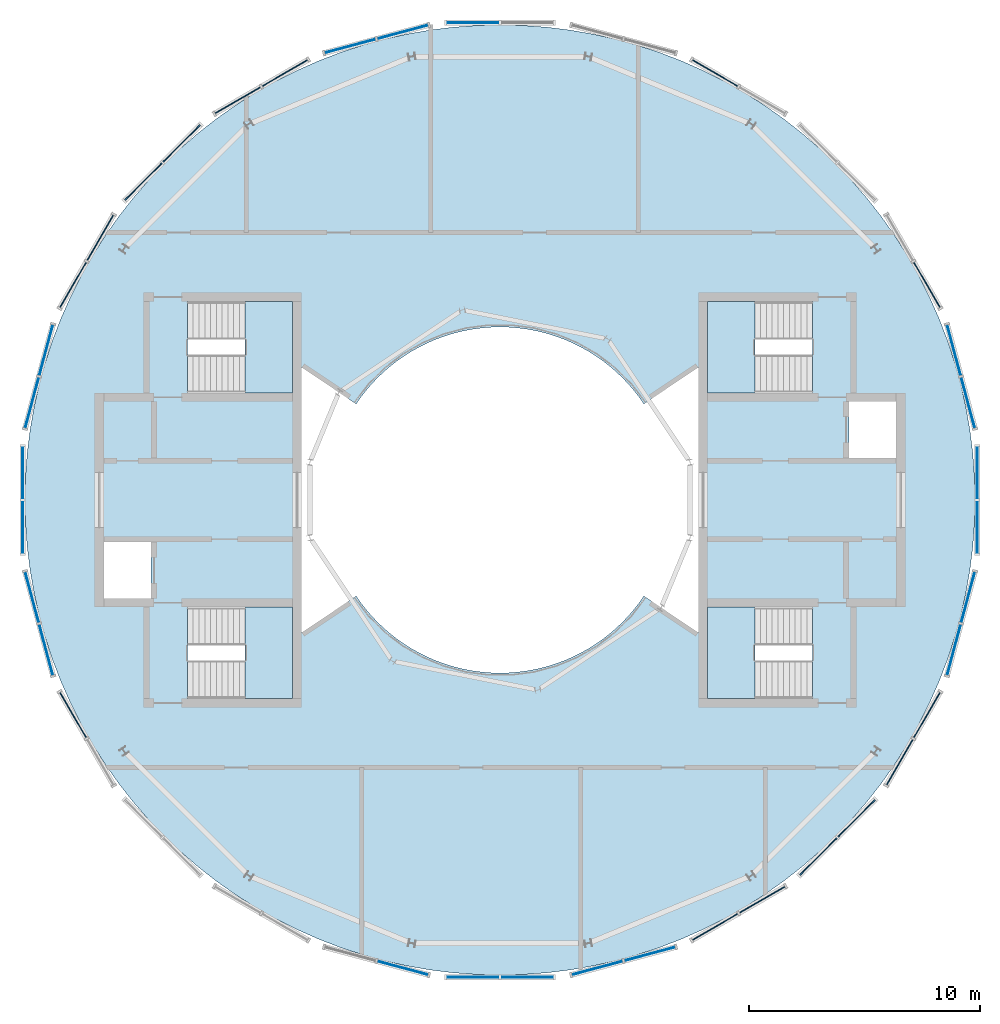
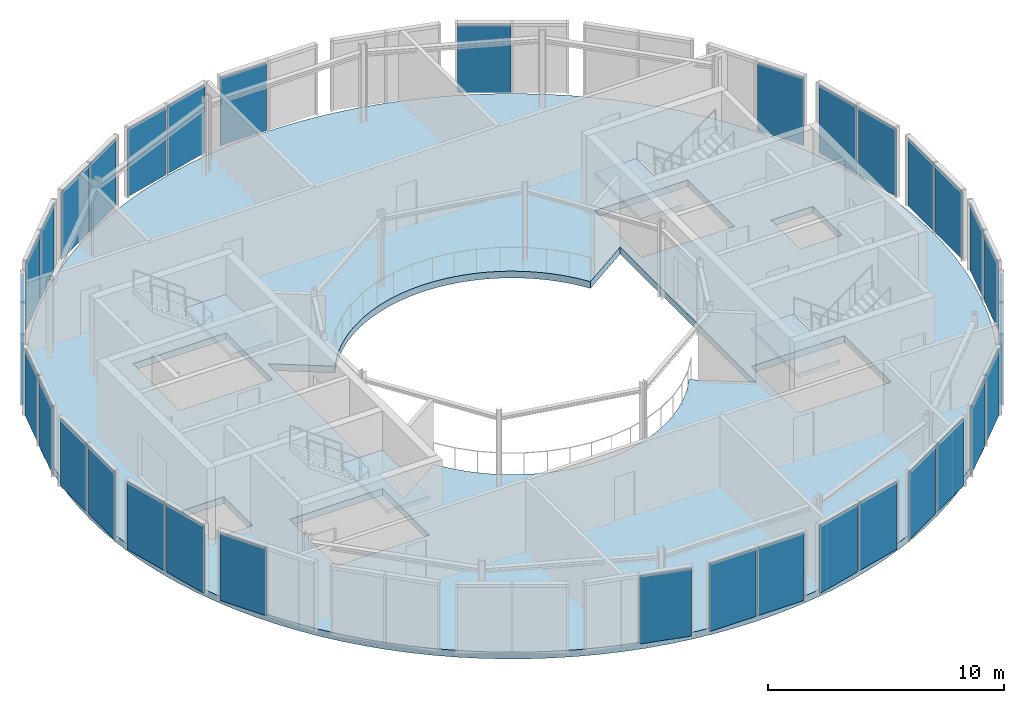
# One storey, part 7 of 12: 35 plates, 5 slabs, 24 elements without a shape of their own.
"""IFC4 building model written with IfcOpenShell, lengths in metres."""

from ifc_helpers import new_model, si_unit, direction, frame, origin, origin_2d, place, context, subcontext, project, spatial, polyline, rectangle, outline, extrude, material, layer, layer_set, type_object, element, aggregate, save


model = new_model("IFC4")

# Units and contexts
model_context = context("Model", 3, precision=1e-05, world=origin(), true_north=direction((0.0, 1.0)))
body_context = subcontext(model_context, "Body", "Model", "MODEL_VIEW")
ifc_project = project(units=[si_unit("LENGTHUNIT", "METRE"), si_unit("AREAUNIT", "SQUARE_METRE"), si_unit("VOLUMEUNIT", "CUBIC_METRE"), si_unit("PLANEANGLEUNIT", "RADIAN"), si_unit("MASSUNIT", "GRAM", prefix="KILO")], contexts=[model_context])

# Site, building, storey
site_placement = place(None, origin())
site = spatial("IfcSite", under=ifc_project, at=site_placement, CompositionType="ELEMENT")
building_placement = place(site_placement, origin())
building = spatial("IfcBuilding", under=site, at=building_placement, Name="Maasbend Ring Residences", CompositionType="ELEMENT")
storey_placement = place(building_placement, frame((0.0, 0.0, 265.5)))
storey = spatial("IfcBuildingStorey", under=building, at=storey_placement, Name="L76", CompositionType="ELEMENT", Elevation=265.5)

# Stair, slab
ifc_material_1 = material(Name="Concrete C40/50", Category="concrete")
stair_type = type_object("IfcStairType", Name="CORE STAIR 22 RISERS", PredefinedType="HALF_TURN_STAIR", material=ifc_material_1)
stair_1_placement = place(storey_placement, origin())
stair_1 = element("IfcStair", 1, at=stair_1_placement, inside=storey, type_object=stair_type, Name="L76 Exit stair ST-E1", PredefinedType="HALF_TURN_STAIR")
ifc_material_2 = material(Name="Concrete C40/50", Category="concrete")
ifc_layer_1 = layer(ifc_material_2, 0.199951171875)
ifc_layer_set_1 = layer_set([ifc_layer_1], Name="Concrete C40/50")
slab_type_1 = type_object("IfcSlabType", Name="CORE STAIR LANDING 200", PredefinedType="LANDING", material=ifc_layer_set_1)
slab_1_placement = place(storey_placement, frame((0.0, 0.0, 1.800048828125)))
slab_1 = element("IfcSlab", 2, at=slab_1_placement, type_object=slab_type_1, Name="ST-E1 landing 1", PredefinedType="LANDING", context=body_context, shape_type="SweptSolid", body=[
    extrude(outline(polyline([(11.050048828125, 8.60009765625), (9.0, 8.60009765625), (9.0, 4.64990234375), (11.050048828125, 4.64990234375), (11.050048828125, 8.60009765625)])), origin(), (0.0, 0.0, 1.0), 0.199951171875),
])
aggregate(stair_1, [slab_1])

stair_2_placement = place(storey_placement, origin())
stair_2 = element("IfcStair", 3, at=stair_2_placement, inside=storey, type_object=stair_type, Name="L76 Exit stair ST-E2", PredefinedType="HALF_TURN_STAIR")
slab_2_placement = place(storey_placement, frame((0.0, 0.0, 1.800048828125)))
slab_2 = element("IfcSlab", 4, at=slab_2_placement, type_object=slab_type_1, Name="ST-E2 landing 1", PredefinedType="LANDING", context=body_context, shape_type="SweptSolid", body=[
    extrude(outline(polyline([(11.050048828125, -4.64990234375), (9.0, -4.64990234375), (9.0, -8.60009765625), (11.050048828125, -8.60009765625), (11.050048828125, -4.64990234375)])), origin(), (0.0, 0.0, 1.0), 0.199951171875),
])
aggregate(stair_2, [slab_2])

stair_3_placement = place(storey_placement, origin())
stair_3 = element("IfcStair", 5, at=stair_3_placement, inside=storey, type_object=stair_type, Name="L76 Exit stair ST-W1", PredefinedType="HALF_TURN_STAIR")
slab_3_placement = place(storey_placement, frame((0.0, 0.0, 1.800048828125)))
slab_3 = element("IfcSlab", 6, at=slab_3_placement, type_object=slab_type_1, Name="ST-W1 landing 1", PredefinedType="LANDING", context=body_context, shape_type="SweptSolid", body=[
    extrude(outline(polyline([(-11.050048828125, -8.60009765625), (-9.0, -8.60009765625), (-9.0, -4.64990234375), (-11.050048828125, -4.64990234375), (-11.050048828125, -8.60009765625)])), origin(), (0.0, 0.0, 1.0), 0.199951171875),
])
aggregate(stair_3, [slab_3])

stair_4_placement = place(storey_placement, origin())
stair_4 = element("IfcStair", 7, at=stair_4_placement, inside=storey, type_object=stair_type, Name="L76 Exit stair ST-W2", PredefinedType="HALF_TURN_STAIR")
slab_4_placement = place(storey_placement, frame((0.0, 0.0, 1.800048828125)))
slab_4 = element("IfcSlab", 8, at=slab_4_placement, type_object=slab_type_1, Name="ST-W2 landing 1", PredefinedType="LANDING", context=body_context, shape_type="SweptSolid", body=[
    extrude(outline(polyline([(-11.050048828125, 4.64990234375), (-9.0, 4.64990234375), (-9.0, 8.60009765625), (-11.050048828125, 8.60009765625), (-11.050048828125, 4.64990234375)])), origin(), (0.0, 0.0, 1.0), 0.199951171875),
])
aggregate(stair_4, [slab_4])

# Curtain wall, plates
ifc_material_3 = material(Name="Aluminium and clear glass", Category="aluminium")
ifc_layer_2 = layer(ifc_material_3, 0.239990234375)
ifc_layer_set_2 = layer_set([ifc_layer_2], Name="CW-CN")
curtain_wall_type = type_object("IfcCurtainWallType", Name="CW-CN", PredefinedType="NOTDEFINED", material=ifc_layer_set_2)
curtain_wall_1_placement = place(storey_placement, origin())
curtain_wall_1 = element("IfcCurtainWall", 9, at=curtain_wall_1_placement, inside=storey, type_object=curtain_wall_type, Name="Crown drum glazing 01 L76", PredefinedType="NOTDEFINED")
ifc_material_4 = material(Name="Glass clear laminated", Category="glass")
ifc_layer_3 = layer(ifc_material_4, 0.0400390625)
ifc_layer_set_3 = layer_set([ifc_layer_3], Name="CWP-CN")
plate_type = type_object("IfcPlateType", Name="CWP-CN", PredefinedType="CURTAIN_PANEL", material=ifc_layer_set_3)
plate_1_placement = place(storey_placement, frame((20.291748046875, 4.216064453125, 0.0), z_axis=(0.0, 0.0, 1.0), x_axis=(-0.258819045103, 0.965925826289, 0.0)))
plate_1 = element("IfcPlate", 10, at=plate_1_placement, type_object=plate_type, Name="Glass panel crown cone", PredefinedType="CURTAIN_PANEL", context=body_context, shape_type="SweptSolid", body=[
    extrude(rectangle(XDim=2.26904296875, YDim=0.0400390625, at=origin_2d()), origin(), (0.0, 0.0, 1.0), 3.489990234375),
])
plate_2_placement = place(storey_placement, frame((19.68115234375, 6.49462890625, 0.0), z_axis=(0.0, 0.0, 1.0), x_axis=(-0.258819045103, 0.965925826289, 0.0)))
plate_2 = element("IfcPlate", 11, at=plate_2_placement, type_object=plate_type, Name="Glass panel crown cone", PredefinedType="CURTAIN_PANEL", context=body_context, shape_type="SweptSolid", body=[
    extrude(rectangle(XDim=2.26904296875, YDim=0.0400390625, at=origin_2d()), origin(), (0.0, 0.0, 1.0), 3.489990234375),
])
aggregate(curtain_wall_1, [plate_1, plate_2])

# Curtain wall, plate
curtain_wall_2_placement = place(storey_placement, origin())
curtain_wall_2 = element("IfcCurtainWall", 12, at=curtain_wall_2_placement, inside=storey, type_object=curtain_wall_type, Name="Crown drum glazing 02 L76", PredefinedType="NOTDEFINED")
plate_3_placement = place(storey_placement, frame((18.509033203125, 9.32421875, 0.0), z_axis=(0.0, 0.0, 1.0), x_axis=(-0.5, 0.866025403784, 0.0)))
plate_3 = element("IfcPlate", 13, at=plate_3_placement, type_object=plate_type, Name="Glass panel crown cone", PredefinedType="CURTAIN_PANEL", context=body_context, shape_type="SweptSolid", body=[
    extrude(rectangle(XDim=2.26904296875, YDim=0.0400390625, at=origin_2d()), origin(), (0.0, 0.0, 1.0), 3.489990234375),
])
aggregate(curtain_wall_2, [plate_3])

curtain_wall_3_placement = place(storey_placement, origin())
curtain_wall_3 = element("IfcCurtainWall", 14, at=curtain_wall_3_placement, inside=storey, type_object=curtain_wall_type, Name="Crown drum glazing 04 L76", PredefinedType="NOTDEFINED")
plate_4_placement = place(storey_placement, frame((9.32421875, 18.509033203125, 0.0), z_axis=(0.0, 0.0, 1.0), x_axis=(-0.866025403784, 0.5, 0.0)))
plate_4 = element("IfcPlate", 15, at=plate_4_placement, type_object=plate_type, Name="Glass panel crown cone", PredefinedType="CURTAIN_PANEL", context=body_context, shape_type="SweptSolid", body=[
    extrude(rectangle(XDim=2.26904296875, YDim=0.0400390625, at=origin_2d()), origin(), (0.0, 0.0, 1.0), 3.489990234375),
])
aggregate(curtain_wall_3, [plate_4])

curtain_wall_4_placement = place(storey_placement, origin())
curtain_wall_4 = element("IfcCurtainWall", 16, at=curtain_wall_4_placement, inside=storey, type_object=curtain_wall_type, Name="Crown drum glazing 06 L76", PredefinedType="NOTDEFINED")
plate_5_placement = place(storey_placement, frame((-1.179443359375, 20.69140625, 0.0), z_axis=(0.0, 0.0, 1.0), x_axis=(-1.0, 0.0, 0.0)))
plate_5 = element("IfcPlate", 17, at=plate_5_placement, type_object=plate_type, Name="Glass panel crown cone", PredefinedType="CURTAIN_PANEL", context=body_context, shape_type="SweptSolid", body=[
    extrude(rectangle(XDim=2.26904296875, YDim=0.0400390625, at=origin_2d()), origin(), (0.0, 0.0, 1.0), 3.489990234375),
])
aggregate(curtain_wall_4, [plate_5])

# Curtain wall, plates
curtain_wall_5_placement = place(storey_placement, origin())
curtain_wall_5 = element("IfcCurtainWall", 18, at=curtain_wall_5_placement, inside=storey, type_object=curtain_wall_type, Name="Crown drum glazing 07 L76", PredefinedType="NOTDEFINED")
plate_6_placement = place(storey_placement, frame((-4.216064453125, 20.291748046875, 0.0), z_axis=(0.0, 0.0, 1.0), x_axis=(-0.965925826289, -0.258819045103, 0.0)))
plate_6 = element("IfcPlate", 19, at=plate_6_placement, type_object=plate_type, Name="Glass panel crown cone", PredefinedType="CURTAIN_PANEL", context=body_context, shape_type="SweptSolid", body=[
    extrude(rectangle(XDim=2.26904296875, YDim=0.0400390625, at=origin_2d()), origin(), (0.0, 0.0, 1.0), 3.489990234375),
])
plate_7_placement = place(storey_placement, frame((-6.49462890625, 19.68115234375, 0.0), z_axis=(0.0, 0.0, 1.0), x_axis=(-0.965925826289, -0.258819045103, 0.0)))
plate_7 = element("IfcPlate", 20, at=plate_7_placement, type_object=plate_type, Name="Glass panel crown cone", PredefinedType="CURTAIN_PANEL", context=body_context, shape_type="SweptSolid", body=[
    extrude(rectangle(XDim=2.26904296875, YDim=0.0400390625, at=origin_2d()), origin(), (0.0, 0.0, 1.0), 3.489990234375),
])
aggregate(curtain_wall_5, [plate_6, plate_7])

curtain_wall_6_placement = place(storey_placement, origin())
curtain_wall_6 = element("IfcCurtainWall", 21, at=curtain_wall_6_placement, inside=storey, type_object=curtain_wall_type, Name="Crown drum glazing 08 L76", PredefinedType="NOTDEFINED")
plate_8_placement = place(storey_placement, frame((-9.32421875, 18.509033203125, 0.0), z_axis=(0.0, 0.0, 1.0), x_axis=(-0.866025403784, -0.5, 0.0)))
plate_8 = element("IfcPlate", 22, at=plate_8_placement, type_object=plate_type, Name="Glass panel crown cone", PredefinedType="CURTAIN_PANEL", context=body_context, shape_type="SweptSolid", body=[
    extrude(rectangle(XDim=2.26904296875, YDim=0.0400390625, at=origin_2d()), origin(), (0.0, 0.0, 1.0), 3.489990234375),
])
plate_9_placement = place(storey_placement, frame((-11.3671875, 17.32958984375, 0.0), z_axis=(0.0, 0.0, 1.0), x_axis=(-0.866025403784, -0.5, 0.0)))
plate_9 = element("IfcPlate", 23, at=plate_9_placement, type_object=plate_type, Name="Glass panel crown cone", PredefinedType="CURTAIN_PANEL", context=body_context, shape_type="SweptSolid", body=[
    extrude(rectangle(XDim=2.26904296875, YDim=0.0400390625, at=origin_2d()), origin(), (0.0, 0.0, 1.0), 3.489990234375),
])
aggregate(curtain_wall_6, [plate_8, plate_9])

curtain_wall_7_placement = place(storey_placement, origin())
curtain_wall_7 = element("IfcCurtainWall", 24, at=curtain_wall_7_placement, inside=storey, type_object=curtain_wall_type, Name="Crown drum glazing 09 L76", PredefinedType="NOTDEFINED")
plate_10_placement = place(storey_placement, frame((-13.797119140625, 15.465087890625, 0.0), z_axis=(0.0, 0.0, 1.0), x_axis=(-0.707106781187, -0.707106781187, 0.0)))
plate_10 = element("IfcPlate", 25, at=plate_10_placement, type_object=plate_type, Name="Glass panel crown cone", PredefinedType="CURTAIN_PANEL", context=body_context, shape_type="SweptSolid", body=[
    extrude(rectangle(XDim=2.26904296875, YDim=0.0400390625, at=origin_2d()), origin(), (0.0, 0.0, 1.0), 3.489990234375),
])
plate_11_placement = place(storey_placement, frame((-15.465087890625, 13.797119140625, 0.0), z_axis=(0.0, 0.0, 1.0), x_axis=(-0.707106781187, -0.707106781187, 0.0)))
plate_11 = element("IfcPlate", 26, at=plate_11_placement, type_object=plate_type, Name="Glass panel crown cone", PredefinedType="CURTAIN_PANEL", context=body_context, shape_type="SweptSolid", body=[
    extrude(rectangle(XDim=2.26904296875, YDim=0.0400390625, at=origin_2d()), origin(), (0.0, 0.0, 1.0), 3.489990234375),
])
aggregate(curtain_wall_7, [plate_10, plate_11])

curtain_wall_8_placement = place(storey_placement, origin())
curtain_wall_8 = element("IfcCurtainWall", 27, at=curtain_wall_8_placement, inside=storey, type_object=curtain_wall_type, Name="Crown drum glazing 10 L76", PredefinedType="NOTDEFINED")
plate_12_placement = place(storey_placement, frame((-17.32958984375, 11.3671875, 0.0), z_axis=(0.0, 0.0, 1.0), x_axis=(-0.5, -0.866025403784, 0.0)))
plate_12 = element("IfcPlate", 28, at=plate_12_placement, type_object=plate_type, Name="Glass panel crown cone", PredefinedType="CURTAIN_PANEL", context=body_context, shape_type="SweptSolid", body=[
    extrude(rectangle(XDim=2.26904296875, YDim=0.0400390625, at=origin_2d()), origin(), (0.0, 0.0, 1.0), 3.489990234375),
])
plate_13_placement = place(storey_placement, frame((-18.509033203125, 9.32421875, 0.0), z_axis=(0.0, 0.0, 1.0), x_axis=(-0.5, -0.866025403784, 0.0)))
plate_13 = element("IfcPlate", 29, at=plate_13_placement, type_object=plate_type, Name="Glass panel crown cone", PredefinedType="CURTAIN_PANEL", context=body_context, shape_type="SweptSolid", body=[
    extrude(rectangle(XDim=2.26904296875, YDim=0.0400390625, at=origin_2d()), origin(), (0.0, 0.0, 1.0), 3.489990234375),
])
aggregate(curtain_wall_8, [plate_12, plate_13])

curtain_wall_9_placement = place(storey_placement, origin())
curtain_wall_9 = element("IfcCurtainWall", 30, at=curtain_wall_9_placement, inside=storey, type_object=curtain_wall_type, Name="Crown drum glazing 11 L76", PredefinedType="NOTDEFINED")
plate_14_placement = place(storey_placement, frame((-19.68115234375, 6.49462890625, 0.0), z_axis=(0.0, 0.0, 1.0), x_axis=(-0.258819045103, -0.965925826289, 0.0)))
plate_14 = element("IfcPlate", 31, at=plate_14_placement, type_object=plate_type, Name="Glass panel crown cone", PredefinedType="CURTAIN_PANEL", context=body_context, shape_type="SweptSolid", body=[
    extrude(rectangle(XDim=2.26904296875, YDim=0.0400390625, at=origin_2d()), origin(), (0.0, 0.0, 1.0), 3.489990234375),
])
plate_15_placement = place(storey_placement, frame((-20.291748046875, 4.216064453125, 0.0), z_axis=(0.0, 0.0, 1.0), x_axis=(-0.258819045103, -0.965925826289, 0.0)))
plate_15 = element("IfcPlate", 32, at=plate_15_placement, type_object=plate_type, Name="Glass panel crown cone", PredefinedType="CURTAIN_PANEL", context=body_context, shape_type="SweptSolid", body=[
    extrude(rectangle(XDim=2.26904296875, YDim=0.0400390625, at=origin_2d()), origin(), (0.0, 0.0, 1.0), 3.489990234375),
])
aggregate(curtain_wall_9, [plate_14, plate_15])

curtain_wall_10_placement = place(storey_placement, origin())
curtain_wall_10 = element("IfcCurtainWall", 33, at=curtain_wall_10_placement, inside=storey, type_object=curtain_wall_type, Name="Crown drum glazing 12 L76", PredefinedType="NOTDEFINED")
plate_16_placement = place(storey_placement, frame((-20.69140625, 1.179443359375, 0.0), z_axis=(0.0, 0.0, 1.0), x_axis=(0.0, -1.0, 0.0)))
plate_16 = element("IfcPlate", 34, at=plate_16_placement, type_object=plate_type, Name="Glass panel crown cone", PredefinedType="CURTAIN_PANEL", context=body_context, shape_type="SweptSolid", body=[
    extrude(rectangle(XDim=2.26904296875, YDim=0.0400390625, at=origin_2d()), origin(), (0.0, 0.0, 1.0), 3.489990234375),
])
plate_17_placement = place(storey_placement, frame((-20.69140625, -1.179443359375, 0.0), z_axis=(0.0, 0.0, 1.0), x_axis=(0.0, -1.0, 0.0)))
plate_17 = element("IfcPlate", 35, at=plate_17_placement, type_object=plate_type, Name="Glass panel crown cone", PredefinedType="CURTAIN_PANEL", context=body_context, shape_type="SweptSolid", body=[
    extrude(rectangle(XDim=2.26904296875, YDim=0.0400390625, at=origin_2d()), origin(), (0.0, 0.0, 1.0), 3.489990234375),
])
aggregate(curtain_wall_10, [plate_16, plate_17])

curtain_wall_11_placement = place(storey_placement, origin())
curtain_wall_11 = element("IfcCurtainWall", 36, at=curtain_wall_11_placement, inside=storey, type_object=curtain_wall_type, Name="Crown drum glazing 13 L76", PredefinedType="NOTDEFINED")
plate_18_placement = place(storey_placement, frame((-20.291748046875, -4.216064453125, 0.0), z_axis=(0.0, 0.0, 1.0), x_axis=(0.258819045103, -0.965925826289, 0.0)))
plate_18 = element("IfcPlate", 37, at=plate_18_placement, type_object=plate_type, Name="Glass panel crown cone", PredefinedType="CURTAIN_PANEL", context=body_context, shape_type="SweptSolid", body=[
    extrude(rectangle(XDim=2.26904296875, YDim=0.0400390625, at=origin_2d()), origin(), (0.0, 0.0, 1.0), 3.489990234375),
])
plate_19_placement = place(storey_placement, frame((-19.68115234375, -6.49462890625, 0.0), z_axis=(0.0, 0.0, 1.0), x_axis=(0.258819045103, -0.965925826289, 0.0)))
plate_19 = element("IfcPlate", 38, at=plate_19_placement, type_object=plate_type, Name="Glass panel crown cone", PredefinedType="CURTAIN_PANEL", context=body_context, shape_type="SweptSolid", body=[
    extrude(rectangle(XDim=2.26904296875, YDim=0.0400390625, at=origin_2d()), origin(), (0.0, 0.0, 1.0), 3.489990234375),
])
aggregate(curtain_wall_11, [plate_18, plate_19])

# Curtain wall, plate
curtain_wall_12_placement = place(storey_placement, origin())
curtain_wall_12 = element("IfcCurtainWall", 39, at=curtain_wall_12_placement, inside=storey, type_object=curtain_wall_type, Name="Crown drum glazing 14 L76", PredefinedType="NOTDEFINED")
plate_20_placement = place(storey_placement, frame((-18.509033203125, -9.32421875, 0.0), z_axis=(0.0, 0.0, 1.0), x_axis=(0.5, -0.866025403784, 0.0)))
plate_20 = element("IfcPlate", 40, at=plate_20_placement, type_object=plate_type, Name="Glass panel crown cone", PredefinedType="CURTAIN_PANEL", context=body_context, shape_type="SweptSolid", body=[
    extrude(rectangle(XDim=2.26904296875, YDim=0.0400390625, at=origin_2d()), origin(), (0.0, 0.0, 1.0), 3.489990234375),
])
aggregate(curtain_wall_12, [plate_20])

curtain_wall_13_placement = place(storey_placement, origin())
curtain_wall_13 = element("IfcCurtainWall", 41, at=curtain_wall_13_placement, inside=storey, type_object=curtain_wall_type, Name="Crown drum glazing 17 L76", PredefinedType="NOTDEFINED")
plate_21_placement = place(storey_placement, frame((-4.216064453125, -20.291748046875, 0.0), z_axis=(0.0, 0.0, 1.0), x_axis=(0.965925826289, -0.258819045103, 0.0)))
plate_21 = element("IfcPlate", 42, at=plate_21_placement, type_object=plate_type, Name="Glass panel crown cone", PredefinedType="CURTAIN_PANEL", context=body_context, shape_type="SweptSolid", body=[
    extrude(rectangle(XDim=2.26904296875, YDim=0.0400390625, at=origin_2d()), origin(), (0.0, 0.0, 1.0), 3.489990234375),
])
aggregate(curtain_wall_13, [plate_21])

# Curtain wall, plates
curtain_wall_14_placement = place(storey_placement, origin())
curtain_wall_14 = element("IfcCurtainWall", 43, at=curtain_wall_14_placement, inside=storey, type_object=curtain_wall_type, Name="Crown drum glazing 18 L76", PredefinedType="NOTDEFINED")
plate_22_placement = place(storey_placement, frame((-1.179443359375, -20.69140625, 0.0), z_axis=(0.0, 0.0, 1.0), x_axis=(1.0, 0.0, 0.0)))
plate_22 = element("IfcPlate", 44, at=plate_22_placement, type_object=plate_type, Name="Glass panel crown cone", PredefinedType="CURTAIN_PANEL", context=body_context, shape_type="SweptSolid", body=[
    extrude(rectangle(XDim=2.26904296875, YDim=0.0400390625, at=origin_2d()), origin(), (0.0, 0.0, 1.0), 3.489990234375),
])
plate_23_placement = place(storey_placement, frame((1.179443359375, -20.69140625, 0.0), z_axis=(0.0, 0.0, 1.0), x_axis=(1.0, 0.0, 0.0)))
plate_23 = element("IfcPlate", 45, at=plate_23_placement, type_object=plate_type, Name="Glass panel crown cone", PredefinedType="CURTAIN_PANEL", context=body_context, shape_type="SweptSolid", body=[
    extrude(rectangle(XDim=2.26904296875, YDim=0.0400390625, at=origin_2d()), origin(), (0.0, 0.0, 1.0), 3.489990234375),
])
aggregate(curtain_wall_14, [plate_22, plate_23])

curtain_wall_15_placement = place(storey_placement, origin())
curtain_wall_15 = element("IfcCurtainWall", 46, at=curtain_wall_15_placement, inside=storey, type_object=curtain_wall_type, Name="Crown drum glazing 19 L76", PredefinedType="NOTDEFINED")
plate_24_placement = place(storey_placement, frame((4.216064453125, -20.291748046875, 0.0), z_axis=(0.0, 0.0, 1.0), x_axis=(0.965925826289, 0.258819045103, 0.0)))
plate_24 = element("IfcPlate", 47, at=plate_24_placement, type_object=plate_type, Name="Glass panel crown cone", PredefinedType="CURTAIN_PANEL", context=body_context, shape_type="SweptSolid", body=[
    extrude(rectangle(XDim=2.26904296875, YDim=0.0400390625, at=origin_2d()), origin(), (0.0, 0.0, 1.0), 3.489990234375),
])
plate_25_placement = place(storey_placement, frame((6.49462890625, -19.68115234375, 0.0), z_axis=(0.0, 0.0, 1.0), x_axis=(0.965925826289, 0.258819045103, 0.0)))
plate_25 = element("IfcPlate", 48, at=plate_25_placement, type_object=plate_type, Name="Glass panel crown cone", PredefinedType="CURTAIN_PANEL", context=body_context, shape_type="SweptSolid", body=[
    extrude(rectangle(XDim=2.26904296875, YDim=0.0400390625, at=origin_2d()), origin(), (0.0, 0.0, 1.0), 3.489990234375),
])
aggregate(curtain_wall_15, [plate_24, plate_25])

curtain_wall_16_placement = place(storey_placement, origin())
curtain_wall_16 = element("IfcCurtainWall", 49, at=curtain_wall_16_placement, inside=storey, type_object=curtain_wall_type, Name="Crown drum glazing 20 L76", PredefinedType="NOTDEFINED")
plate_26_placement = place(storey_placement, frame((9.32421875, -18.509033203125, 0.0), z_axis=(0.0, 0.0, 1.0), x_axis=(0.866025403784, 0.5, 0.0)))
plate_26 = element("IfcPlate", 50, at=plate_26_placement, type_object=plate_type, Name="Glass panel crown cone", PredefinedType="CURTAIN_PANEL", context=body_context, shape_type="SweptSolid", body=[
    extrude(rectangle(XDim=2.26904296875, YDim=0.0400390625, at=origin_2d()), origin(), (0.0, 0.0, 1.0), 3.489990234375),
])
plate_27_placement = place(storey_placement, frame((11.3671875, -17.32958984375, 0.0), z_axis=(0.0, 0.0, 1.0), x_axis=(0.866025403784, 0.5, 0.0)))
plate_27 = element("IfcPlate", 51, at=plate_27_placement, type_object=plate_type, Name="Glass panel crown cone", PredefinedType="CURTAIN_PANEL", context=body_context, shape_type="SweptSolid", body=[
    extrude(rectangle(XDim=2.26904296875, YDim=0.0400390625, at=origin_2d()), origin(), (0.0, 0.0, 1.0), 3.489990234375),
])
aggregate(curtain_wall_16, [plate_26, plate_27])

curtain_wall_17_placement = place(storey_placement, origin())
curtain_wall_17 = element("IfcCurtainWall", 52, at=curtain_wall_17_placement, inside=storey, type_object=curtain_wall_type, Name="Crown drum glazing 21 L76", PredefinedType="NOTDEFINED")
plate_28_placement = place(storey_placement, frame((13.797119140625, -15.465087890625, 0.0), z_axis=(0.0, 0.0, 1.0), x_axis=(0.707106781187, 0.707106781187, 0.0)))
plate_28 = element("IfcPlate", 53, at=plate_28_placement, type_object=plate_type, Name="Glass panel crown cone", PredefinedType="CURTAIN_PANEL", context=body_context, shape_type="SweptSolid", body=[
    extrude(rectangle(XDim=2.26904296875, YDim=0.0400390625, at=origin_2d()), origin(), (0.0, 0.0, 1.0), 3.489990234375),
])
plate_29_placement = place(storey_placement, frame((15.465087890625, -13.797119140625, 0.0), z_axis=(0.0, 0.0, 1.0), x_axis=(0.707106781187, 0.707106781187, 0.0)))
plate_29 = element("IfcPlate", 54, at=plate_29_placement, type_object=plate_type, Name="Glass panel crown cone", PredefinedType="CURTAIN_PANEL", context=body_context, shape_type="SweptSolid", body=[
    extrude(rectangle(XDim=2.26904296875, YDim=0.0400390625, at=origin_2d()), origin(), (0.0, 0.0, 1.0), 3.489990234375),
])
aggregate(curtain_wall_17, [plate_28, plate_29])

curtain_wall_18_placement = place(storey_placement, origin())
curtain_wall_18 = element("IfcCurtainWall", 55, at=curtain_wall_18_placement, inside=storey, type_object=curtain_wall_type, Name="Crown drum glazing 22 L76", PredefinedType="NOTDEFINED")
plate_30_placement = place(storey_placement, frame((17.32958984375, -11.3671875, 0.0), z_axis=(0.0, 0.0, 1.0), x_axis=(0.5, 0.866025403784, 0.0)))
plate_30 = element("IfcPlate", 56, at=plate_30_placement, type_object=plate_type, Name="Glass panel crown cone", PredefinedType="CURTAIN_PANEL", context=body_context, shape_type="SweptSolid", body=[
    extrude(rectangle(XDim=2.26904296875, YDim=0.0400390625, at=origin_2d()), origin(), (0.0, 0.0, 1.0), 3.489990234375),
])
plate_31_placement = place(storey_placement, frame((18.509033203125, -9.32421875, 0.0), z_axis=(0.0, 0.0, 1.0), x_axis=(0.5, 0.866025403784, 0.0)))
plate_31 = element("IfcPlate", 57, at=plate_31_placement, type_object=plate_type, Name="Glass panel crown cone", PredefinedType="CURTAIN_PANEL", context=body_context, shape_type="SweptSolid", body=[
    extrude(rectangle(XDim=2.26904296875, YDim=0.0400390625, at=origin_2d()), origin(), (0.0, 0.0, 1.0), 3.489990234375),
])
aggregate(curtain_wall_18, [plate_30, plate_31])

curtain_wall_19_placement = place(storey_placement, origin())
curtain_wall_19 = element("IfcCurtainWall", 58, at=curtain_wall_19_placement, inside=storey, type_object=curtain_wall_type, Name="Crown drum glazing 23 L76", PredefinedType="NOTDEFINED")
plate_32_placement = place(storey_placement, frame((19.68115234375, -6.49462890625, 0.0), z_axis=(0.0, 0.0, 1.0), x_axis=(0.258819045103, 0.965925826289, 0.0)))
plate_32 = element("IfcPlate", 59, at=plate_32_placement, type_object=plate_type, Name="Glass panel crown cone", PredefinedType="CURTAIN_PANEL", context=body_context, shape_type="SweptSolid", body=[
    extrude(rectangle(XDim=2.26904296875, YDim=0.0400390625, at=origin_2d()), origin(), (0.0, 0.0, 1.0), 3.489990234375),
])
plate_33_placement = place(storey_placement, frame((20.291748046875, -4.216064453125, 0.0), z_axis=(0.0, 0.0, 1.0), x_axis=(0.258819045103, 0.965925826289, 0.0)))
plate_33 = element("IfcPlate", 60, at=plate_33_placement, type_object=plate_type, Name="Glass panel crown cone", PredefinedType="CURTAIN_PANEL", context=body_context, shape_type="SweptSolid", body=[
    extrude(rectangle(XDim=2.26904296875, YDim=0.0400390625, at=origin_2d()), origin(), (0.0, 0.0, 1.0), 3.489990234375),
])
aggregate(curtain_wall_19, [plate_32, plate_33])

curtain_wall_20_placement = place(storey_placement, origin())
curtain_wall_20 = element("IfcCurtainWall", 61, at=curtain_wall_20_placement, inside=storey, type_object=curtain_wall_type, Name="Crown drum glazing 24 L76", PredefinedType="NOTDEFINED")
plate_34_placement = place(storey_placement, frame((20.69140625, -1.179443359375, 0.0), z_axis=(0.0, 0.0, 1.0), x_axis=(0.0, 1.0, 0.0)))
plate_34 = element("IfcPlate", 62, at=plate_34_placement, type_object=plate_type, Name="Glass panel crown cone", PredefinedType="CURTAIN_PANEL", context=body_context, shape_type="SweptSolid", body=[
    extrude(rectangle(XDim=2.26904296875, YDim=0.0400390625, at=origin_2d()), origin(), (0.0, 0.0, 1.0), 3.489990234375),
])
plate_35_placement = place(storey_placement, frame((20.69140625, 1.179443359375, 0.0), z_axis=(0.0, 0.0, 1.0), x_axis=(0.0, 1.0, 0.0)))
plate_35 = element("IfcPlate", 63, at=plate_35_placement, type_object=plate_type, Name="Glass panel crown cone", PredefinedType="CURTAIN_PANEL", context=body_context, shape_type="SweptSolid", body=[
    extrude(rectangle(XDim=2.26904296875, YDim=0.0400390625, at=origin_2d()), origin(), (0.0, 0.0, 1.0), 3.489990234375),
])
aggregate(curtain_wall_20, [plate_34, plate_35])

# Slab
ifc_material_5 = material(Name="Concrete C40/50", Category="concrete")
ifc_layer_4 = layer(ifc_material_5, 0.35009765625)
ifc_layer_set_4 = layer_set([ifc_layer_4], Name="Concrete C40/50")
slab_type_2 = type_object("IfcSlabType", Name="Post-tensioned flat plate 350", PredefinedType="FLOOR", material=ifc_layer_set_4)
slab_5_placement = place(storey_placement, frame((0.0, 0.0, -0.35009765625)))
element("IfcSlab", 64, at=slab_5_placement, inside=storey, type_object=slab_type_2, Name="Floor slab L76", PredefinedType="FLOOR", context=body_context, shape_type="SweptSolid", body=[
    extrude(outline(polyline([(19.982666015625, -5.00537109375), (20.2041015625, -4.018798828125), (20.376953125, -3.022705078125), (20.500732421875, -2.019287109375), (20.5751953125, -1.0107421875), (20.60009765625, 0.0), (20.5751953125, 1.0107421875), (20.500732421875, 2.019287109375), (20.376953125, 3.022705078125), (20.2041015625, 4.018798828125), (19.982666015625, 5.00537109375), (19.712890625, 5.97998046875), (19.395751953125, 6.93994140625), (19.031982421875, 7.88330078125), (18.622314453125, 8.8076171875), (18.16748046875, 9.710693359375), (17.669189453125, 10.590576171875), (17.12841796875, 11.444580078125), (16.546142578125, 12.271484375), (15.924072265625, 13.068603515625), (15.263671875, 13.833984375), (14.56640625, 14.56640625), (13.833984375, 15.263671875), (13.068603515625, 15.924072265625), (12.271484375, 16.546142578125), (11.444580078125, 17.12841796875), (10.590576171875, 17.669189453125), (9.710693359375, 18.16748046875), (8.8076171875, 18.622314453125), (7.88330078125, 19.031982421875), (6.93994140625, 19.395751953125), (5.97998046875, 19.712890625), (5.00537109375, 19.982666015625), (4.018798828125, 20.2041015625), (3.022705078125, 20.376953125), (2.019287109375, 20.500732421875), (1.0107421875, 20.5751953125), (0.0, 20.60009765625), (-1.0107421875, 20.5751953125), (-2.019287109375, 20.500732421875), (-3.022705078125, 20.376953125), (-4.018798828125, 20.2041015625), (-5.00537109375, 19.982666015625), (-5.97998046875, 19.712890625), (-6.93994140625, 19.395751953125), (-7.88330078125, 19.031982421875), (-8.8076171875, 18.622314453125), (-9.710693359375, 18.16748046875), (-10.590576171875, 17.669189453125), (-11.444580078125, 17.12841796875), (-12.271484375, 16.546142578125), (-13.068603515625, 15.924072265625), (-13.833984375, 15.263671875), (-14.56640625, 14.56640625), (-15.263671875, 13.833984375), (-15.924072265625, 13.068603515625), (-16.546142578125, 12.271484375), (-17.12841796875, 11.444580078125), (-17.669189453125, 10.590576171875), (-18.16748046875, 9.710693359375), (-18.622314453125, 8.8076171875), (-19.031982421875, 7.88330078125), (-19.395751953125, 6.93994140625), (-19.712890625, 5.97998046875), (-19.982666015625, 5.00537109375), (-20.2041015625, 4.018798828125), (-20.376953125, 3.022705078125), (-20.500732421875, 2.019287109375), (-20.5751953125, 1.0107421875), (-20.60009765625, 0.0), (-20.5751953125, -1.0107421875), (-20.500732421875, -2.019287109375), (-20.376953125, -3.022705078125), (-20.2041015625, -4.018798828125), (-19.982666015625, -5.00537109375), (-19.712890625, -5.97998046875), (-19.395751953125, -6.93994140625), (-19.031982421875, -7.88330078125), (-18.622314453125, -8.8076171875), (-18.16748046875, -9.710693359375), (-17.669189453125, -10.590576171875), (-17.12841796875, -11.444580078125), (-16.546142578125, -12.271484375), (-15.924072265625, -13.068603515625), (-15.263671875, -13.833984375), (-14.56640625, -14.56640625), (-13.833984375, -15.263671875), (-13.068603515625, -15.924072265625), (-12.271484375, -16.546142578125), (-11.444580078125, -17.12841796875), (-10.590576171875, -17.669189453125), (-9.710693359375, -18.16748046875), (-8.8076171875, -18.622314453125), (-7.88330078125, -19.031982421875), (-6.93994140625, -19.395751953125), (-5.97998046875, -19.712890625), (-5.00537109375, -19.982666015625), (-4.018798828125, -20.2041015625), (-3.022705078125, -20.376953125), (-2.019287109375, -20.500732421875), (-1.0107421875, -20.5751953125), (0.0, -20.60009765625), (1.0107421875, -20.5751953125), (2.019287109375, -20.500732421875), (3.022705078125, -20.376953125), (4.018798828125, -20.2041015625), (5.00537109375, -19.982666015625), (5.97998046875, -19.712890625), (6.93994140625, -19.395751953125), (7.88330078125, -19.031982421875), (8.8076171875, -18.622314453125), (9.710693359375, -18.16748046875), (10.590576171875, -17.669189453125), (11.444580078125, -17.12841796875), (12.271484375, -16.546142578125), (13.068603515625, -15.924072265625), (13.833984375, -15.263671875), (14.56640625, -14.56640625), (15.263671875, -13.833984375), (15.924072265625, -13.068603515625), (16.546142578125, -12.271484375), (17.12841796875, -11.444580078125), (17.669189453125, -10.590576171875), (18.16748046875, -9.710693359375), (18.622314453125, -8.8076171875), (19.031982421875, -7.88330078125), (19.395751953125, -6.93994140625), (19.712890625, -5.97998046875), (19.982666015625, -5.00537109375)]), holes=[polyline([(17.175048828125, 4.27490234375), (17.175048828125, 1.824951171875), (15.125, 1.824951171875), (15.125, 4.27490234375), (17.175048828125, 4.27490234375)]), polyline([(9.0, -4.64990234375), (13.550048828125, -4.64990234375), (13.550048828125, -8.60009765625), (9.0, -8.60009765625), (9.0, -4.64990234375)]), polyline([(9.0, 8.60009765625), (13.550048828125, 8.60009765625), (13.550048828125, 4.64990234375), (9.0, 4.64990234375), (9.0, 8.60009765625)]), polyline([(6.024169921875, 4.4677734375), (6.236083984375, 4.166748046875), (8.60009765625, 5.746337890625), (8.60009765625, -5.746337890625), (6.236083984375, -4.166748046875), (6.024169921875, -4.4677734375), (5.797607421875, -4.7578125), (5.55712890625, -5.03662109375), (5.30322265625, -5.30322265625), (5.03662109375, -5.55712890625), (4.7578125, -5.797607421875), (4.4677734375, -6.024169921875), (4.166748046875, -6.236083984375), (3.855712890625, -6.43310546875), (3.535400390625, -6.614501953125), (3.206787109375, -6.77978515625), (2.8701171875, -6.92919921875), (2.526611328125, -7.0615234375), (2.177001953125, -7.177001953125), (1.822509765625, -7.275146484375), (1.463134765625, -7.35595703125), (1.1005859375, -7.418701171875), (0.735107421875, -7.4638671875), (0.367919921875, -7.490966796875), (0.0, -7.5), (-0.367919921875, -7.490966796875), (-0.735107421875, -7.4638671875), (-1.1005859375, -7.418701171875), (-1.463134765625, -7.35595703125), (-1.822509765625, -7.275146484375), (-2.177001953125, -7.177001953125), (-2.526611328125, -7.0615234375), (-2.8701171875, -6.92919921875), (-3.206787109375, -6.77978515625), (-3.535400390625, -6.614501953125), (-3.855712890625, -6.43310546875), (-4.166748046875, -6.236083984375), (-4.4677734375, -6.024169921875), (-4.7578125, -5.797607421875), (-5.03662109375, -5.55712890625), (-5.30322265625, -5.30322265625), (-5.55712890625, -5.03662109375), (-5.797607421875, -4.7578125), (-6.024169921875, -4.4677734375), (-6.236083984375, -4.166748046875), (-8.60009765625, -5.746337890625), (-8.60009765625, 5.746337890625), (-6.236083984375, 4.166748046875), (-6.024169921875, 4.4677734375), (-5.797607421875, 4.7578125), (-5.55712890625, 5.03662109375), (-5.30322265625, 5.30322265625), (-5.03662109375, 5.55712890625), (-4.7578125, 5.797607421875), (-4.4677734375, 6.024169921875), (-4.166748046875, 6.236083984375), (-3.855712890625, 6.43310546875), (-3.535400390625, 6.614501953125), (-3.206787109375, 6.77978515625), (-2.8701171875, 6.92919921875), (-2.526611328125, 7.0615234375), (-2.177001953125, 7.177001953125), (-1.822509765625, 7.275146484375), (-1.463134765625, 7.35595703125), (-1.1005859375, 7.418701171875), (-0.735107421875, 7.4638671875), (-0.367919921875, 7.490966796875), (0.0, 7.5), (0.367919921875, 7.490966796875), (0.735107421875, 7.4638671875), (1.1005859375, 7.418701171875), (1.463134765625, 7.35595703125), (1.822509765625, 7.275146484375), (2.177001953125, 7.177001953125), (2.526611328125, 7.0615234375), (2.8701171875, 6.92919921875), (3.206787109375, 6.77978515625), (3.535400390625, 6.614501953125), (3.855712890625, 6.43310546875), (4.166748046875, 6.236083984375), (4.4677734375, 6.024169921875), (4.7578125, 5.797607421875), (5.03662109375, 5.55712890625), (5.30322265625, 5.30322265625), (5.55712890625, 5.03662109375), (5.797607421875, 4.7578125), (6.024169921875, 4.4677734375)]), polyline([(-9.0, -4.64990234375), (-9.0, -8.60009765625), (-13.550048828125, -8.60009765625), (-13.550048828125, -4.64990234375), (-9.0, -4.64990234375)]), polyline([(-9.0, 4.64990234375), (-13.550048828125, 4.64990234375), (-13.550048828125, 8.60009765625), (-9.0, 8.60009765625), (-9.0, 4.64990234375)]), polyline([(-17.175048828125, -1.824951171875), (-15.125, -1.824951171875), (-15.125, -4.27490234375), (-17.175048828125, -4.27490234375), (-17.175048828125, -1.824951171875)])]), origin(), (0.0, 0.0, 1.0), 0.35009765625),
])

save(model, "model.ifc")
